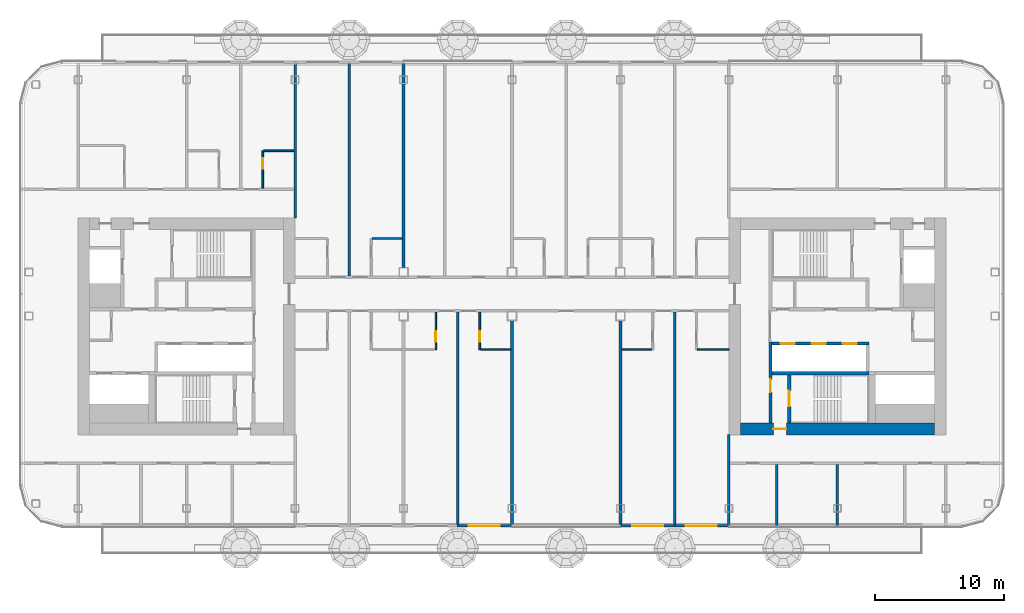
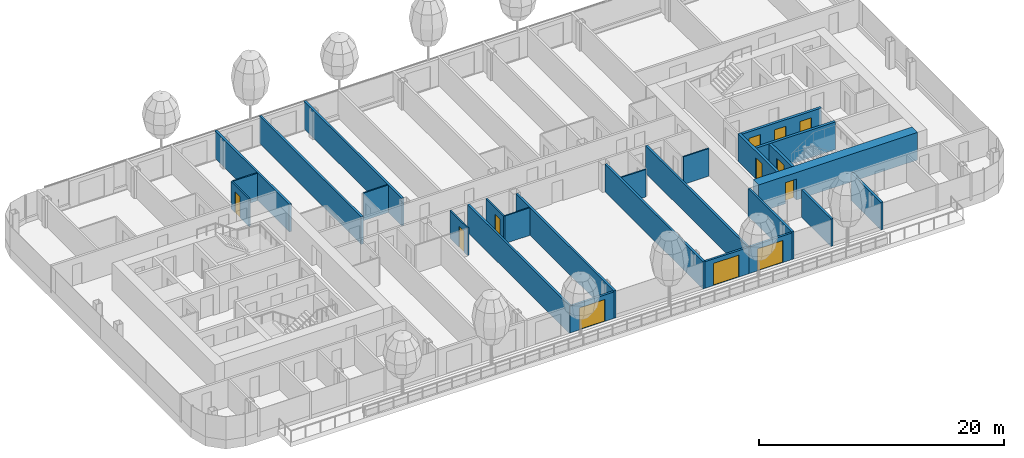
# One storey, part 13 of 29: 26 walls, 12 doors, 12 openings, 1 element without a shape of its own.
"""IFC4 building model written with IfcOpenShell, lengths in metres."""

from ifc_helpers import new_model, si_unit, direction, frame, frame_2d, origin, place, context, subcontext, project, spatial, rectangle, extrude, material, layer, layer_set, type_object, element, fill, aggregate, save


model = new_model("IFC4")

# Units and contexts
model_context = context("Model", 3, precision=1e-05, world=origin(), true_north=direction((0.0, 1.0)))
body_context = subcontext(model_context, "Body", "Model", "MODEL_VIEW")
ifc_project = project(units=[si_unit("LENGTHUNIT", "METRE"), si_unit("AREAUNIT", "SQUARE_METRE"), si_unit("VOLUMEUNIT", "CUBIC_METRE"), si_unit("PLANEANGLEUNIT", "RADIAN"), si_unit("MASSUNIT", "GRAM", prefix="KILO")], contexts=[model_context])

# Site, building, storey
site_placement = place(None, origin())
site = spatial("IfcSite", under=ifc_project, at=site_placement, CompositionType="ELEMENT")
building_placement = place(site_placement, origin())
building = spatial("IfcBuilding", under=site, at=building_placement, Name="Hakoniwa Tower and Hamabe Station Hall", CompositionType="ELEMENT")
storey_placement = place(building_placement, frame((0.0, 0.0, 205.800048828125)))
storey = spatial("IfcBuildingStorey", under=building, at=storey_placement, Name="L58", CompositionType="ELEMENT", Elevation=205.800048828125)

# Walls
ifc_material_1 = material(Name="Gypsum board partition", Category="gypsum")
ifc_layer_1 = layer(ifc_material_1, 0.125)
ifc_layer_set_1 = layer_set([ifc_layer_1], Name="Bathroom Partition 125")
wall_type_1 = type_object("IfcWallType", Name="Bathroom Partition 125", PredefinedType="PARTITIONING", material=ifc_layer_set_1)
for number, where, z_axis, x_axis, name in (
    (1, (-2.4375, -1.800048828125, 0.0), (0.0, 0.0, 1.0), (1.0, 0.0, 0.0), "GW-L58-005"),
    (2, (8.5, -1.800048828125, 0.0), (0.0, 0.0, 1.0), (1.0, 0.0, 0.0), "GW-L58-006"),
):
    element("IfcWall", number, at=place(storey_placement, frame(where, z_axis=z_axis, x_axis=x_axis)), inside=storey, type_object=wall_type_1, Name=name, PredefinedType="PARTITIONING", context=body_context, shape_type="SweptSolid", body=[
        extrude(rectangle(XDim=2.33740234375, YDim=0.125, at=frame_2d((1.168701171875, 0.0))), origin(), (0.0, 0.0, 1.0), 2.75),
    ])
wall_1_placement = place(storey_placement, frame((14.362548828125, -1.800048828125, 0.0), z_axis=(0.0, 0.0, 1.0), x_axis=(1.0, 0.0, 0.0)))
element("IfcWall", 3, at=wall_1_placement, inside=storey, type_object=wall_type_1, Name="GW-L58-007", PredefinedType="PARTITIONING", context=body_context, shape_type="SweptSolid", body=[
    extrude(rectangle(XDim=2.447509765625, YDim=0.125, at=frame_2d((1.2236328125, 0.0))), origin(), (0.0, 0.0, 1.0), 2.75),
])
wall_2_placement = place(storey_placement, frame((-10.83740234375, 6.800048828125, 0.0), z_axis=(0.0, 0.0, 1.0), x_axis=(1.0, 0.0, 0.0)))
element("IfcWall", 4, at=wall_2_placement, inside=storey, type_object=wall_type_1, Name="GW-L58-011", PredefinedType="PARTITIONING", context=body_context, shape_type="SweptSolid", body=[
    extrude(rectangle(XDim=2.33740234375, YDim=0.125, at=frame_2d((1.168701171875, 0.0))), origin(), (0.0, 0.0, 1.0), 2.75),
])
wall_3_placement = place(storey_placement, frame((-19.237548828125, 13.60009765625, 0.0), z_axis=(0.0, 0.0, 1.0), x_axis=(1.0, 0.0, 0.0)))
element("IfcWall", 5, at=wall_3_placement, inside=storey, type_object=wall_type_1, Name="GW-L58-018", PredefinedType="PARTITIONING", context=body_context, shape_type="SweptSolid", body=[
    extrude(rectangle(XDim=2.337646484375, YDim=0.125, at=frame_2d((1.1689453125, 0.0))), origin(), (0.0, 0.0, 1.0), 2.75),
])

# Wall, opening, door
wall_4_placement = place(storey_placement, frame((-19.300048828125, 10.699951171875, 0.0), z_axis=(0.0, 0.0, 1.0), x_axis=(0.0, 1.0, 0.0)))
wall_4 = element("IfcWall", 6, at=wall_4_placement, inside=storey, type_object=wall_type_1, Name="GW-L58-029", PredefinedType="PARTITIONING", context=body_context, shape_type="SweptSolid", body=[
    extrude(rectangle(XDim=2.900146484375, YDim=0.125, at=frame_2d((1.4501953125, 0.0))), origin(), (0.0, 0.0, 1.0), 2.75),
])
opening_1_placement = place(wall_4_placement, frame((1.5, 0.0, 0.0)))
opening_1 = element("IfcOpeningElement", 7, at=opening_1_placement, cuts=wall_4, Name="Opening GD-G4B1-35", PredefinedType="OPENING", context=body_context, shape_type="SweptSolid", body=[
    extrude(rectangle(XDim=0.800048828125, YDim=2.10009765625, at=frame_2d((0.39990234375, 1.050048828125))), frame((0.0, 0.072509765625, 0.0), z_axis=(0.0, -1.0, 0.0), x_axis=(1.0, 0.0, 0.0)), (0.0, 0.0, 1.0), 0.14501953125),
])
ifc_material_2 = material(Name="Timber door leaf", Category="wood")
door_type_1 = type_object("IfcDoorType", Name="Bathroom Door 800", OperationType="SINGLE_SWING_LEFT", PredefinedType="DOOR", material=ifc_material_2)
door_1_placement = place(opening_1_placement, origin())
door_1 = element("IfcDoor", 8, at=door_1_placement, inside=storey, type_object=door_type_1, Name="Door GD-G4B1-35", OperationType="SINGLE_SWING_RIGHT", OverallHeight=2.10009765625, OverallWidth=0.800048828125, PredefinedType="DOOR", context=body_context, shape_type="SweptSolid", body=[
    extrude(rectangle(XDim=0.800048828125, YDim=2.10009765625, at=frame_2d((0.39990234375, 1.050048828125))), frame((0.0, 0.02490234375, 0.0), z_axis=(0.0, -1.0, 0.0), x_axis=(1.0, 0.0, 0.0)), (0.0, 0.0, 1.0), 0.050048828125),
])
fill(opening_1, door_1)

wall_5_placement = place(storey_placement, frame((-5.89990234375, -1.800048828125, 0.0), z_axis=(0.0, 0.0, 1.0), x_axis=(0.0, 1.0, 0.0)))
wall_5 = element("IfcWall", 9, at=wall_5_placement, inside=storey, type_object=wall_type_1, Name="GW-L58-040", PredefinedType="PARTITIONING", context=body_context, shape_type="SweptSolid", body=[
    extrude(rectangle(XDim=2.900146484375, YDim=0.125, at=frame_2d((1.4501953125, 0.0))), origin(), (0.0, 0.0, 1.0), 2.75),
])
opening_2_placement = place(wall_5_placement, frame((0.60009765625, 0.0, 0.0)))
opening_2 = element("IfcOpeningElement", 10, at=opening_2_placement, cuts=wall_5, Name="Opening GD-G4B1-40", PredefinedType="OPENING", context=body_context, shape_type="SweptSolid", body=[
    extrude(rectangle(XDim=0.800048828125, YDim=2.10009765625, at=frame_2d((0.39990234375, 1.050048828125))), frame((0.0, 0.072509765625, 0.0), z_axis=(0.0, -1.0, 0.0), x_axis=(1.0, 0.0, 0.0)), (0.0, 0.0, 1.0), 0.14501953125),
])
door_2_placement = place(opening_2_placement, origin())
door_2 = element("IfcDoor", 11, at=door_2_placement, inside=storey, type_object=door_type_1, Name="Door GD-G4B1-40", OperationType="SINGLE_SWING_RIGHT", OverallHeight=2.10009765625, OverallWidth=0.800048828125, PredefinedType="DOOR", context=body_context, shape_type="SweptSolid", body=[
    extrude(rectangle(XDim=0.800048828125, YDim=2.10009765625, at=frame_2d((0.39990234375, 1.050048828125))), frame((0.0, 0.02490234375, 0.0), z_axis=(0.0, -1.0, 0.0), x_axis=(1.0, 0.0, 0.0)), (0.0, 0.0, 1.0), 0.050048828125),
])
fill(opening_2, door_2)

wall_6_placement = place(storey_placement, frame((-2.5, -1.800048828125, 0.0), z_axis=(0.0, 0.0, 1.0), x_axis=(0.0, 1.0, 0.0)))
wall_6 = element("IfcWall", 12, at=wall_6_placement, inside=storey, type_object=wall_type_1, Name="GW-L58-043", PredefinedType="PARTITIONING", context=body_context, shape_type="SweptSolid", body=[
    extrude(rectangle(XDim=2.900146484375, YDim=0.125, at=frame_2d((1.4501953125, 0.0))), origin(), (0.0, 0.0, 1.0), 2.75),
])
opening_3_placement = place(wall_6_placement, frame((0.60009765625, 0.0, 0.0)))
opening_3 = element("IfcOpeningElement", 13, at=opening_3_placement, cuts=wall_6, Name="Opening GD-G4B1-41", PredefinedType="OPENING", context=body_context, shape_type="SweptSolid", body=[
    extrude(rectangle(XDim=0.800048828125, YDim=2.10009765625, at=frame_2d((0.39990234375, 1.050048828125))), frame((0.0, 0.072509765625, 0.0), z_axis=(0.0, -1.0, 0.0), x_axis=(1.0, 0.0, 0.0)), (0.0, 0.0, 1.0), 0.14501953125),
])
door_3_placement = place(opening_3_placement, origin())
door_3 = element("IfcDoor", 14, at=door_3_placement, inside=storey, type_object=door_type_1, Name="Door GD-G4B1-41", OperationType="SINGLE_SWING_LEFT", OverallHeight=2.10009765625, OverallWidth=0.800048828125, PredefinedType="DOOR", context=body_context, shape_type="SweptSolid", body=[
    extrude(rectangle(XDim=0.800048828125, YDim=2.10009765625, at=frame_2d((0.39990234375, 1.050048828125))), frame((0.0, 0.02490234375, 0.0), z_axis=(0.0, -1.0, 0.0), x_axis=(1.0, 0.0, 0.0)), (0.0, 0.0, 1.0), 0.050048828125),
])
fill(opening_3, door_3)

ifc_material_3 = material(Name="Concrete C60", Category="concrete")
ifc_layer_2 = layer(ifc_material_3, 0.89990234375)
ifc_layer_set_2 = layer_set([ifc_layer_2], Name="CORE WALL 900 C60")
wall_type_2 = type_object("IfcWallType", Name="CORE WALL 900 C60", PredefinedType="SHEAR", material=ifc_layer_set_2)
wall_7_placement = place(storey_placement, frame((17.699951171875, -7.949951171875, 0.0), z_axis=(0.0, 0.0, 1.0), x_axis=(1.0, 0.0, 0.0)))
wall_7 = element("IfcWall", 15, at=wall_7_placement, inside=storey, type_object=wall_type_2, Name="Core wall SOUTH east", PredefinedType="SHEAR", context=body_context, shape_type="SweptSolid", body=[
    extrude(rectangle(XDim=15.0, YDim=0.89990234375, at=frame_2d((7.5, 0.0))), origin(), (0.0, 0.0, 1.0), 2.75),
])
opening_4_placement = place(wall_7_placement, frame((2.550048828125, 0.0, 0.0)))
opening_4 = element("IfcOpeningElement", 16, at=opening_4_placement, cuts=wall_7, Name="Opening CD-E-FS3-10", PredefinedType="OPENING", context=body_context, shape_type="SweptSolid", body=[
    extrude(rectangle(XDim=1.0, YDim=2.10009765625, at=frame_2d((0.5, 1.050048828125))), frame((0.0, 0.4599609375, 0.0), z_axis=(0.0, -1.0, 0.0), x_axis=(1.0, 0.0, 0.0)), (0.0, 0.0, 1.0), 0.919921875),
])
ifc_material_4 = material(Name="Steel fire door", Category="steel")
door_type_2 = type_object("IfcDoorType", Name="CORE DOOR 1000 FD60", OperationType="NOTDEFINED", PredefinedType="DOOR", material=ifc_material_4)
door_4_placement = place(opening_4_placement, origin())
door_4 = element("IfcDoor", 17, at=door_4_placement, inside=storey, type_object=door_type_2, Name="Stair vestibule door", OperationType="SINGLE_SWING_RIGHT", OverallHeight=2.10009765625, OverallWidth=1.0, PredefinedType="DOOR", context=body_context, shape_type="SweptSolid", body=[
    extrude(rectangle(XDim=1.0, YDim=2.10009765625, at=frame_2d((0.5, 1.050048828125))), frame((0.0, 0.02490234375, 0.0), z_axis=(0.0, -1.0, 0.0), x_axis=(1.0, 0.0, 0.0)), (0.0, 0.0, 1.0), 0.050048828125),
])
fill(opening_4, door_4)

ifc_material_5 = material(Name="Concrete C60", Category="concrete")
ifc_layer_3 = layer(ifc_material_5, 0.25)
ifc_layer_set_3 = layer_set([ifc_layer_3], Name="CORE WEB WALL 250 C60")
wall_type_3 = type_object("IfcWallType", Name="CORE WEB WALL 250 C60", PredefinedType="SHEAR", material=ifc_layer_set_3)
wall_8_placement = place(storey_placement, frame((20.02490234375, -7.5, 0.0), z_axis=(0.0, 0.0, 1.0), x_axis=(0.0, 1.0, 0.0)))
wall_8 = element("IfcWall", 18, at=wall_8_placement, inside=storey, type_object=wall_type_3, Name="Core wall W1S east", PredefinedType="SHEAR", context=body_context, shape_type="SweptSolid", body=[
    extrude(rectangle(XDim=6.300048828125, YDim=0.25, at=frame_2d((3.14990234375, 0.0))), origin(), (0.0, 0.0, 1.0), 2.75),
])
opening_5_placement = place(wall_8_placement, frame((2.39990234375, 0.0, 0.0)))
opening_5 = element("IfcOpeningElement", 19, at=opening_5_placement, cuts=wall_8, Name="Opening CD-E-VS-10", PredefinedType="OPENING", context=body_context, shape_type="SweptSolid", body=[
    extrude(rectangle(XDim=1.0, YDim=2.10009765625, at=frame_2d((0.5, 1.050048828125))), frame((0.0, 0.135009765625, 0.0), z_axis=(0.0, -1.0, 0.0), x_axis=(1.0, 0.0, 0.0)), (0.0, 0.0, 1.0), 0.27001953125),
])
door_5_placement = place(opening_5_placement, origin())
door_5 = element("IfcDoor", 20, at=door_5_placement, inside=storey, type_object=door_type_2, Name="Stair vestibule door", OperationType="SINGLE_SWING_RIGHT", OverallHeight=2.10009765625, OverallWidth=1.0, PredefinedType="DOOR", context=body_context, shape_type="SweptSolid", body=[
    extrude(rectangle(XDim=1.0, YDim=2.10009765625, at=frame_2d((0.5, 1.050048828125))), frame((0.0, 0.02490234375, 0.0), z_axis=(0.0, -1.0, 0.0), x_axis=(1.0, 0.0, 0.0)), (0.0, 0.0, 1.0), 0.050048828125),
])
fill(opening_5, door_5)

# Wall, openings, doors
wall_9_placement = place(storey_placement, frame((20.14990234375, -1.324951171875, 0.0), z_axis=(0.0, 0.0, 1.0), x_axis=(1.0, 0.0, 0.0)))
wall_9 = element("IfcWall", 21, at=wall_9_placement, inside=storey, type_object=wall_type_3, Name="Core wall SF east", PredefinedType="SHEAR", context=body_context, shape_type="SweptSolid", body=[
    extrude(rectangle(XDim=7.5, YDim=0.25, at=frame_2d((3.75, 0.0))), origin(), (0.0, 0.0, 1.0), 2.75),
])
opening_6_placement = place(wall_9_placement, frame((0.64990234375, 0.0, 0.0)))
opening_6 = element("IfcOpeningElement", 22, at=opening_6_placement, cuts=wall_9, Name="Opening LD-HR4", PredefinedType="OPENING", context=body_context, shape_type="SweptSolid", body=[
    extrude(rectangle(XDim=1.10009765625, YDim=2.10009765625, at=frame_2d((0.550048828125, 1.050048828125))), frame((0.0, 0.135009765625, 0.0), z_axis=(0.0, -1.0, 0.0), x_axis=(1.0, 0.0, 0.0)), (0.0, 0.0, 1.0), 0.27001953125),
])
opening_7_placement = place(wall_9_placement, frame((3.050048828125, 0.0, 0.0)))
opening_7 = element("IfcOpeningElement", 23, at=opening_7_placement, cuts=wall_9, Name="Opening LD-HR5", PredefinedType="OPENING", context=body_context, shape_type="SweptSolid", body=[
    extrude(rectangle(XDim=1.10009765625, YDim=2.10009765625, at=frame_2d((0.550048828125, 1.050048828125))), frame((0.0, 0.135009765625, 0.0), z_axis=(0.0, -1.0, 0.0), x_axis=(1.0, 0.0, 0.0)), (0.0, 0.0, 1.0), 0.27001953125),
])
opening_8_placement = place(wall_9_placement, frame((5.449951171875, 0.0, 0.0)))
opening_8 = element("IfcOpeningElement", 24, at=opening_8_placement, cuts=wall_9, Name="Opening LD-HR6", PredefinedType="OPENING", context=body_context, shape_type="SweptSolid", body=[
    extrude(rectangle(XDim=1.10009765625, YDim=2.10009765625, at=frame_2d((0.550048828125, 1.050048828125))), frame((0.0, 0.135009765625, 0.0), z_axis=(0.0, -1.0, 0.0), x_axis=(1.0, 0.0, 0.0)), (0.0, 0.0, 1.0), 0.27001953125),
])
ifc_material_6 = material(Name="Stainless steel SUS304", Category="steel")
door_type_3 = type_object("IfcDoorType", Name="LIFT LANDING DOOR 1100 FD60", OperationType="DOUBLE_DOOR_SLIDING", PredefinedType="DOOR", material=ifc_material_6)
door_6_placement = place(opening_6_placement, origin())
door_6 = element("IfcDoor", 25, at=door_6_placement, inside=storey, type_object=door_type_3, Name="Lift landing door HR4 L58", OperationType="DOUBLE_DOOR_SLIDING", OverallHeight=2.10009765625, OverallWidth=1.10009765625, PredefinedType="DOOR", context=body_context, shape_type="SweptSolid", body=[
    extrude(rectangle(XDim=1.10009765625, YDim=2.10009765625, at=frame_2d((0.550048828125, 1.050048828125))), frame((0.0, 0.02490234375, 0.0), z_axis=(0.0, -1.0, 0.0), x_axis=(1.0, 0.0, 0.0)), (0.0, 0.0, 1.0), 0.050048828125),
])
fill(opening_6, door_6)
door_7_placement = place(opening_7_placement, origin())
door_7 = element("IfcDoor", 26, at=door_7_placement, inside=storey, type_object=door_type_3, Name="Lift landing door HR5 L58", OperationType="DOUBLE_DOOR_SLIDING", OverallHeight=2.10009765625, OverallWidth=1.10009765625, PredefinedType="DOOR", context=body_context, shape_type="SweptSolid", body=[
    extrude(rectangle(XDim=1.10009765625, YDim=2.10009765625, at=frame_2d((0.550048828125, 1.050048828125))), frame((0.0, 0.02490234375, 0.0), z_axis=(0.0, -1.0, 0.0), x_axis=(1.0, 0.0, 0.0)), (0.0, 0.0, 1.0), 0.050048828125),
])
fill(opening_7, door_7)
door_8_placement = place(opening_8_placement, origin())
door_8 = element("IfcDoor", 27, at=door_8_placement, inside=storey, type_object=door_type_3, Name="Lift landing door HR6 L58", OperationType="DOUBLE_DOOR_SLIDING", OverallHeight=2.10009765625, OverallWidth=1.10009765625, PredefinedType="DOOR", context=body_context, shape_type="SweptSolid", body=[
    extrude(rectangle(XDim=1.10009765625, YDim=2.10009765625, at=frame_2d((0.550048828125, 1.050048828125))), frame((0.0, 0.02490234375, 0.0), z_axis=(0.0, -1.0, 0.0), x_axis=(1.0, 0.0, 0.0)), (0.0, 0.0, 1.0), 0.050048828125),
])
fill(opening_8, door_8)

# Wall
wall_10_placement = place(storey_placement, frame((20.14990234375, -3.625, 0.0), z_axis=(0.0, 0.0, 1.0), x_axis=(1.0, 0.0, 0.0)))
element("IfcWall", 28, at=wall_10_placement, inside=storey, type_object=wall_type_3, Name="Core wall SR east", PredefinedType="SHEAR", context=body_context, shape_type="SweptSolid", body=[
    extrude(rectangle(XDim=7.5, YDim=0.25, at=frame_2d((3.75, 0.0))), origin(), (0.0, 0.0, 1.0), 2.75),
])

# Wall, opening, door
wall_11_placement = place(storey_placement, frame((21.47509765625, -7.5, 0.0), z_axis=(0.0, 0.0, 1.0), x_axis=(0.0, 1.0, 0.0)))
wall_11 = element("IfcWall", 29, at=wall_11_placement, inside=storey, type_object=wall_type_3, Name="Core wall VE east", PredefinedType="SHEAR", context=body_context, shape_type="SweptSolid", body=[
    extrude(rectangle(XDim=3.75, YDim=0.25, at=frame_2d((1.875, 0.0))), origin(), (0.0, 0.0, 1.0), 2.75),
])
opening_9_placement = place(wall_11_placement, frame((1.300048828125, 0.0, 0.0)))
opening_9 = element("IfcOpeningElement", 30, at=opening_9_placement, cuts=wall_11, Name="Opening CD-E-SS-12", PredefinedType="OPENING", context=body_context, shape_type="SweptSolid", body=[
    extrude(rectangle(XDim=1.199951171875, YDim=2.10009765625, at=frame_2d((0.60009765625, 1.050048828125))), frame((0.0, 0.135009765625, 0.0), z_axis=(0.0, -1.0, 0.0), x_axis=(1.0, 0.0, 0.0)), (0.0, 0.0, 1.0), 0.27001953125),
])
ifc_material_7 = material(Name="Steel fire door", Category="steel")
door_type_4 = type_object("IfcDoorType", Name="CORE DOOR 1200 FD60", OperationType="DOUBLE_DOOR_SINGLE_SWING", PredefinedType="DOOR", material=ifc_material_7)
door_9_placement = place(opening_9_placement, origin())
door_9 = element("IfcDoor", 31, at=door_9_placement, inside=storey, type_object=door_type_4, Name="Escape stair door", OperationType="DOUBLE_DOOR_SINGLE_SWING", OverallHeight=2.10009765625, OverallWidth=1.199951171875, PredefinedType="DOOR", context=body_context, shape_type="SweptSolid", body=[
    extrude(rectangle(XDim=1.199951171875, YDim=2.10009765625, at=frame_2d((0.60009765625, 1.050048828125))), frame((0.0, 0.02490234375, 0.0), z_axis=(0.0, -1.0, 0.0), x_axis=(1.0, 0.0, 0.0)), (0.0, 0.0, 1.0), 0.050048828125),
])
fill(opening_9, door_9)

# Curtain wall, walls, openings, doors
ifc_material_8 = material(Name="Dark low-e laminated glass", Category="glass")
ifc_layer_4 = layer(ifc_material_8, 0.199951171875)
ifc_layer_set_4 = layer_set([ifc_layer_4], Name="CW-1 UNITISED GUEST")
curtain_wall_type = type_object("IfcCurtainWallType", Name="CW-1 UNITISED GUEST", PredefinedType="NOTDEFINED", material=ifc_layer_set_4)
curtain_wall_placement = place(storey_placement, origin())
curtain_wall = element("IfcCurtainWall", 32, at=curtain_wall_placement, inside=storey, type_object=curtain_wall_type, Name="CW-1 curtain wall", PredefinedType="NOTDEFINED")
ifc_material_9 = material(Name="Dark glass-faced aluminium panel", Category="aluminium")
ifc_layer_5 = layer(ifc_material_9, 0.199951171875)
ifc_layer_set_5 = layer_set([ifc_layer_5], Name="DOOR BAY WALL")
wall_type_4 = type_object("IfcWallType", Name="DOOR BAY WALL", PredefinedType="NOTDEFINED", material=ifc_layer_set_5)
wall_12_placement = place(storey_placement, frame((-4.239990234375, -15.449951171875, 0.0), z_axis=(0.0, 0.0, 1.0), x_axis=(1.0, 0.0, 0.0)))
wall_12 = element("IfcWall", 33, at=wall_12_placement, type_object=wall_type_4, Name="Door bay wall", PredefinedType="NOTDEFINED", context=body_context, shape_type="SweptSolid", body=[
    extrude(rectangle(XDim=4.219970703125, YDim=0.199951171875, at=frame_2d((2.10986328125, 0.0))), origin(), (0.0, 0.0, 1.0), 2.64990234375),
])
opening_10_placement = place(wall_12_placement, frame((0.909912109375, 0.0, 0.0)))
opening_10 = element("IfcOpeningElement", 34, at=opening_10_placement, cuts=wall_12, Name="Opening BD-S07-10", PredefinedType="OPENING", context=body_context, shape_type="SweptSolid", body=[
    extrude(rectangle(XDim=2.39990234375, YDim=2.199951171875, at=frame_2d((1.199951171875, 1.10009765625))), frame((0.0, 0.10986328125, 0.0), z_axis=(0.0, -1.0, 0.0), x_axis=(1.0, 0.0, 0.0)), (0.0, 0.0, 1.0), 0.219970703125),
])
ifc_material_10 = material(Name="Dark low-e laminated glass", Category="glass")
door_type_5 = type_object("IfcDoorType", Name="BALCONY SLIDING DOOR 2400X2200", OperationType="SLIDING_TO_LEFT", PredefinedType="DOOR", material=ifc_material_10)
door_10_placement = place(opening_10_placement, frame((2.39990234375, 0.0, 0.0), z_axis=(0.0, 0.0, 1.0), x_axis=(-1.0, 0.0, 0.0)))
door_10 = element("IfcDoor", 35, at=door_10_placement, inside=storey, type_object=door_type_5, Name="Balcony sliding door", OperationType="SLIDING_TO_LEFT", OverallHeight=2.199951171875, OverallWidth=2.39990234375, PredefinedType="DOOR", context=body_context, shape_type="SweptSolid", body=[
    extrude(rectangle(XDim=2.39990234375, YDim=2.199951171875, at=frame_2d((1.199951171875, 1.10009765625))), frame((0.0, 0.02490234375, 0.0), z_axis=(0.0, -1.0, 0.0), x_axis=(1.0, 0.0, 0.0)), (0.0, 0.0, 1.0), 0.050048828125),
])
fill(opening_10, door_10)
wall_13_placement = place(storey_placement, frame((8.419921875, -15.449951171875, 0.0), z_axis=(0.0, 0.0, 1.0), x_axis=(1.0, 0.0, 0.0)))
wall_13 = element("IfcWall", 36, at=wall_13_placement, type_object=wall_type_4, Name="Door bay wall", PredefinedType="NOTDEFINED", context=body_context, shape_type="SweptSolid", body=[
    extrude(rectangle(XDim=4.219970703125, YDim=0.199951171875, at=frame_2d((2.10986328125, 0.0))), origin(), (0.0, 0.0, 1.0), 2.64990234375),
])
opening_11_placement = place(wall_13_placement, frame((0.909912109375, 0.0, 0.0)))
opening_11 = element("IfcOpeningElement", 37, at=opening_11_placement, cuts=wall_13, Name="Opening BD-S07-11", PredefinedType="OPENING", context=body_context, shape_type="SweptSolid", body=[
    extrude(rectangle(XDim=2.39990234375, YDim=2.199951171875, at=frame_2d((1.199951171875, 1.10009765625))), frame((0.0, 0.10986328125, 0.0), z_axis=(0.0, -1.0, 0.0), x_axis=(1.0, 0.0, 0.0)), (0.0, 0.0, 1.0), 0.219970703125),
])
door_11_placement = place(opening_11_placement, frame((2.39990234375, 0.0, 0.0), z_axis=(0.0, 0.0, 1.0), x_axis=(-1.0, 0.0, 0.0)))
door_11 = element("IfcDoor", 38, at=door_11_placement, inside=storey, type_object=door_type_5, Name="Balcony sliding door", OperationType="SLIDING_TO_LEFT", OverallHeight=2.199951171875, OverallWidth=2.39990234375, PredefinedType="DOOR", context=body_context, shape_type="SweptSolid", body=[
    extrude(rectangle(XDim=2.39990234375, YDim=2.199951171875, at=frame_2d((1.199951171875, 1.10009765625))), frame((0.0, 0.02490234375, 0.0), z_axis=(0.0, -1.0, 0.0), x_axis=(1.0, 0.0, 0.0)), (0.0, 0.0, 1.0), 0.050048828125),
])
fill(opening_11, door_11)
wall_14_placement = place(storey_placement, frame((12.56005859375, -15.449951171875, 0.0), z_axis=(0.0, 0.0, 1.0), x_axis=(1.0, 0.0, 0.0)))
wall_14 = element("IfcWall", 39, at=wall_14_placement, type_object=wall_type_4, Name="Door bay wall", PredefinedType="NOTDEFINED", context=body_context, shape_type="SweptSolid", body=[
    extrude(rectangle(XDim=4.219970703125, YDim=0.199951171875, at=frame_2d((2.10986328125, 0.0))), origin(), (0.0, 0.0, 1.0), 2.64990234375),
])
opening_12_placement = place(wall_14_placement, frame((0.909912109375, 0.0, 0.0)))
opening_12 = element("IfcOpeningElement", 40, at=opening_12_placement, cuts=wall_14, Name="Opening BD-S07-12", PredefinedType="OPENING", context=body_context, shape_type="SweptSolid", body=[
    extrude(rectangle(XDim=2.39990234375, YDim=2.199951171875, at=frame_2d((1.199951171875, 1.10009765625))), frame((0.0, 0.10986328125, 0.0), z_axis=(0.0, -1.0, 0.0), x_axis=(1.0, 0.0, 0.0)), (0.0, 0.0, 1.0), 0.219970703125),
])
door_12_placement = place(opening_12_placement, frame((2.39990234375, 0.0, 0.0), z_axis=(0.0, 0.0, 1.0), x_axis=(-1.0, 0.0, 0.0)))
door_12 = element("IfcDoor", 41, at=door_12_placement, inside=storey, type_object=door_type_5, Name="Balcony sliding door", OperationType="SLIDING_TO_LEFT", OverallHeight=2.199951171875, OverallWidth=2.39990234375, PredefinedType="DOOR", context=body_context, shape_type="SweptSolid", body=[
    extrude(rectangle(XDim=2.39990234375, YDim=2.199951171875, at=frame_2d((1.199951171875, 1.10009765625))), frame((0.0, 0.02490234375, 0.0), z_axis=(0.0, -1.0, 0.0), x_axis=(1.0, 0.0, 0.0)), (0.0, 0.0, 1.0), 0.050048828125),
])
fill(opening_12, door_12)
aggregate(curtain_wall, [wall_12, wall_13, wall_14])

# Walls
ifc_material_11 = material(Name="Fire-rated gypsum board partition", Category="gypsum")
ifc_layer_6 = layer(ifc_material_11, 0.199951171875)
ifc_layer_set_6 = layer_set([ifc_layer_6], Name="Party Wall 200")
wall_type_5 = type_object("IfcWallType", Name="Party Wall 200", PredefinedType="PARTITIONING", material=ifc_layer_set_6)
wall_15_placement = place(storey_placement, frame((-16.800048828125, 8.389892578125, 0.0), z_axis=(0.0, 0.0, 1.0), x_axis=(0.0, 1.0, 0.0)))
element("IfcWall", 42, at=wall_15_placement, inside=storey, type_object=wall_type_5, Name="GW-L58-031", PredefinedType="PARTITIONING", context=body_context, shape_type="SweptSolid", body=[
    extrude(rectangle(XDim=12.16015625, YDim=0.199951171875, at=frame_2d((6.080078125, 0.0))), origin(), (0.0, 0.0, 1.0), 2.75),
])
wall_16_placement = place(storey_placement, frame((-12.60009765625, 3.89990234375, 0.0), z_axis=(0.0, 0.0, 1.0), x_axis=(0.0, 1.0, 0.0)))
element("IfcWall", 43, at=wall_16_placement, inside=storey, type_object=wall_type_5, Name="GW-L58-035", PredefinedType="PARTITIONING", context=body_context, shape_type="SweptSolid", body=[
    extrude(rectangle(XDim=16.650146484375, YDim=0.199951171875, at=frame_2d((8.3251953125, 0.0))), origin(), (0.0, 0.0, 1.0), 2.75),
])
wall_17_placement = place(storey_placement, frame((-8.39990234375, 4.5400390625, 0.0), z_axis=(0.0, 0.0, 1.0), x_axis=(0.0, 1.0, 0.0)))
element("IfcWall", 44, at=wall_17_placement, inside=storey, type_object=wall_type_5, Name="GW-L58-039", PredefinedType="PARTITIONING", context=body_context, shape_type="SweptSolid", body=[
    extrude(rectangle(XDim=16.010009765625, YDim=0.199951171875, at=frame_2d((8.0048828125, 0.0))), origin(), (0.0, 0.0, 1.0), 2.75),
])
wall_18_placement = place(storey_placement, frame((-4.199951171875, -15.550048828125, 0.0), z_axis=(0.0, 0.0, 1.0), x_axis=(0.0, 1.0, 0.0)))
element("IfcWall", 45, at=wall_18_placement, inside=storey, type_object=wall_type_5, Name="GW-L58-042", PredefinedType="PARTITIONING", context=body_context, shape_type="SweptSolid", body=[
    extrude(rectangle(XDim=16.650146484375, YDim=0.199951171875, at=frame_2d((8.3251953125, 0.0))), origin(), (0.0, 0.0, 1.0), 2.75),
])
for number, where, z_axis, x_axis, name in (
    (46, (0.0, -15.550048828125, 0.0), (0.0, 0.0, 1.0), (0.0, 1.0, 0.0), "GW-L58-044"),
    (47, (8.39990234375, -15.550048828125, 0.0), (0.0, 0.0, 1.0), (0.0, 1.0, 0.0), "GW-L58-049"),
):
    element("IfcWall", number, at=place(storey_placement, frame(where, z_axis=z_axis, x_axis=x_axis)), inside=storey, type_object=wall_type_5, Name=name, PredefinedType="PARTITIONING", context=body_context, shape_type="SweptSolid", body=[
        extrude(rectangle(XDim=16.010009765625, YDim=0.199951171875, at=frame_2d((8.0048828125, 0.0))), origin(), (0.0, 0.0, 1.0), 2.75),
    ])
wall_19_placement = place(storey_placement, frame((12.60009765625, -15.550048828125, 0.0), z_axis=(0.0, 0.0, 1.0), x_axis=(0.0, 1.0, 0.0)))
element("IfcWall", 48, at=wall_19_placement, inside=storey, type_object=wall_type_5, Name="GW-L58-053", PredefinedType="PARTITIONING", context=body_context, shape_type="SweptSolid", body=[
    extrude(rectangle(XDim=16.650146484375, YDim=0.199951171875, at=frame_2d((8.3251953125, 0.0))), origin(), (0.0, 0.0, 1.0), 2.75),
])
wall_20_placement = place(storey_placement, frame((16.800048828125, -15.550048828125, 0.0), z_axis=(0.0, 0.0, 1.0), x_axis=(0.0, 1.0, 0.0)))
element("IfcWall", 49, at=wall_20_placement, inside=storey, type_object=wall_type_5, Name="GW-L58-057", PredefinedType="PARTITIONING", context=body_context, shape_type="SweptSolid", body=[
    extrude(rectangle(XDim=7.16015625, YDim=0.199951171875, at=frame_2d((3.580078125, 0.0))), origin(), (0.0, 0.0, 1.0), 2.75),
])
for number, where, z_axis, x_axis, name in (
    (50, (20.5, -15.550048828125, 0.0), (0.0, 0.0, 1.0), (0.0, 1.0, 0.0), "GW-L58-059"),
    (51, (25.199951171875, -15.550048828125, 0.0), (0.0, 0.0, 1.0), (0.0, 1.0, 0.0), "GW-L58-060"),
):
    element("IfcWall", number, at=place(storey_placement, frame(where, z_axis=z_axis, x_axis=x_axis)), inside=storey, type_object=wall_type_5, Name=name, PredefinedType="PARTITIONING", context=body_context, shape_type="SweptSolid", body=[
        extrude(rectangle(XDim=4.85009765625, YDim=0.199951171875, at=frame_2d((2.425048828125, 0.0))), origin(), (0.0, 0.0, 1.0), 2.75),
    ])

save(model, "model.ifc")
